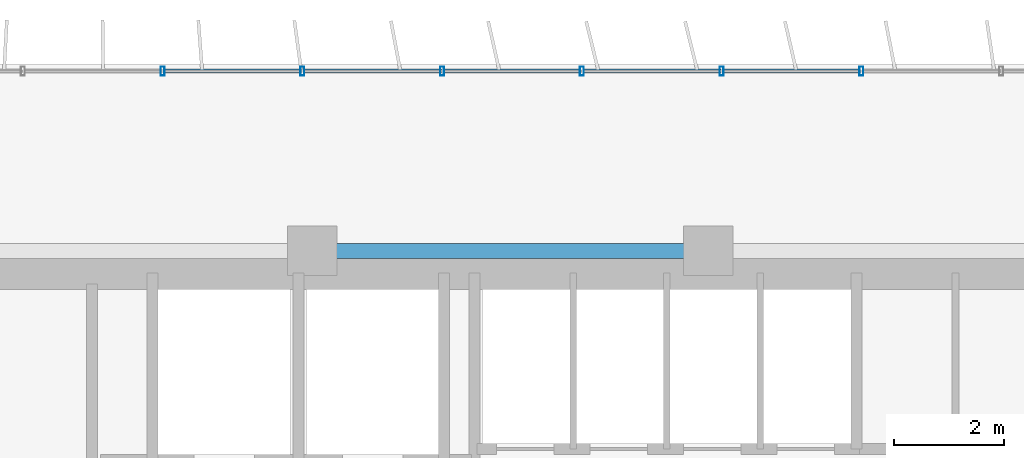
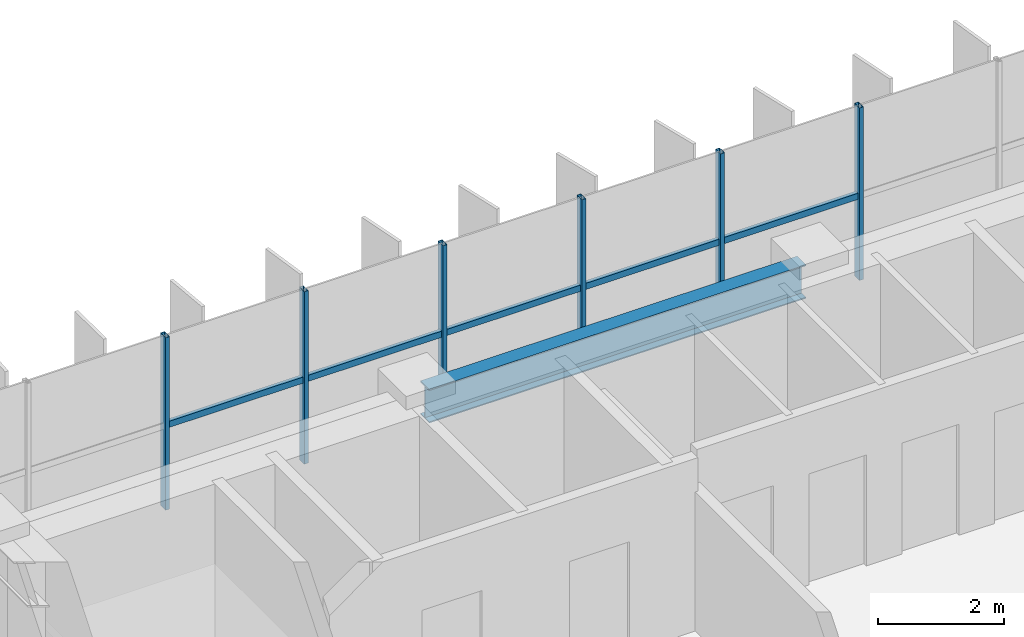
# One storey, part 10 of 25: 11 members, 1 beam, 1 element without a shape of its own.
"""IFC4 building model written with IfcOpenShell, lengths in metres."""

from ifc_helpers import new_model, si_unit, direction, frame, origin, origin_2d, place, context, subcontext, project, spatial, hollow_rectangle, i_section, extrude, source, transform, mapped, material, material_profile, profile_set, type_object, element, aggregate, save


model = new_model("IFC4")

# Units and contexts
model_context = context("Model", 3, precision=1e-05, world=origin(), true_north=direction((0.0, 1.0)))
body_context = subcontext(model_context, "Body", "Model", "MODEL_VIEW")
ifc_project = project(units=[si_unit("LENGTHUNIT", "METRE"), si_unit("AREAUNIT", "SQUARE_METRE"), si_unit("VOLUMEUNIT", "CUBIC_METRE"), si_unit("PLANEANGLEUNIT", "RADIAN"), si_unit("MASSUNIT", "GRAM", prefix="KILO")], contexts=[model_context])

# Site, building, storey
site_placement = place(None, origin())
site = spatial("IfcSite", under=ifc_project, at=site_placement, CompositionType="ELEMENT")
building_placement = place(site_placement, origin())
building = spatial("IfcBuilding", under=site, at=building_placement, Name="Trelvane Seafront Commons", CompositionType="ELEMENT")
storey_placement = place(building_placement, frame((0.0, 0.0, 66.699951171875)))
storey = spatial("IfcBuildingStorey", under=building, at=storey_placement, Name="L17", CompositionType="ELEMENT", Elevation=66.699951171875)

# Beam
ifc_material_1 = material(Name="Steel SM355 (S355)", Category="steel")
ifc_material_profile_1 = material_profile(ifc_material_1, i_section(OverallWidth=0.280029296875, OverallDepth=0.64990234375, WebThickness=0.012939453125, FlangeThickness=0.02197265625, at=origin_2d()), Name="H-650x280x13x22")
ifc_profile_set_1 = profile_set([ifc_material_profile_1], Name="Steel SM355 (S355)")
beam_type = type_object("IfcBeamType", Name="STR-BM-H650", PredefinedType="BEAM", material=ifc_profile_set_1)
shared_shape_1 = source(origin(), body_context, "Body", "SweptSolid", [
    extrude(i_section(OverallWidth=0.280029296875, OverallDepth=0.64990234375, WebThickness=0.012939453125, FlangeThickness=0.02197265625, at=origin_2d()), origin(), (0.0, 0.0, 1.0), 6.89990234375),
])
beam_placement = place(storey_placement, frame((23.550048828125, 45.10009765625, 3.01513671875), z_axis=(1.0, 0.0, 0.0), x_axis=(0.0, 1.0, 0.0)))
element("IfcBeam", 1, at=beam_placement, inside=storey, type_object=beam_type, Name="L17 Primary Girder G-31", PredefinedType="BEAM", context=body_context, shape_type="MappedRepresentation", body=[
    mapped(shared_shape_1, transform((0.0, 0.0, 0.0), x_axis=(1.0, 0.0, 0.0), y_axis=(0.0, 1.0, 0.0), z_axis=(0.0, 0.0, 1.0), scale=1.0)),
])

# Curtain wall, members
ifc_material_2 = material(Name="Anodised pale-silver aluminium", Category="aluminium")
curtain_wall_type = type_object("IfcCurtainWallType", Name="ARCH-CW2-LOWTOWER", PredefinedType="NOTDEFINED", material=ifc_material_2)
curtain_wall_placement = place(storey_placement, origin())
curtain_wall = element("IfcCurtainWall", 2, at=curtain_wall_placement, inside=storey, type_object=curtain_wall_type, Name="CW-L17-0041", PredefinedType="NOTDEFINED")
ifc_material_profile_2 = material_profile(ifc_material_2, hollow_rectangle(XDim=0.074951171875, YDim=0.159912109375, WallThickness=0.00390625, at=origin_2d()), Name="MULL-75x160x4")
ifc_profile_set_2 = profile_set([ifc_material_profile_2], Name="Anodised pale-silver aluminium")
member_type_1 = type_object("IfcMemberType", Name="ARCH-CW-MULL-160", PredefinedType="MULLION", material=ifc_profile_set_2)
shared_shape_2 = source(origin(), body_context, "Body", "SweptSolid", [
    extrude(hollow_rectangle(XDim=0.074951171875, YDim=0.159912109375, WallThickness=0.00390625, at=origin_2d()), origin(), (0.0, 0.0, 1.0), 3.340087890625),
])
member_1_placement = place(storey_placement, frame((20.682373046875, 48.3701171875, 0.0), z_axis=(0.0, 0.0, 1.0), x_axis=(1.0, 0.0, 0.0)))
member_1 = element("IfcMember", 3, at=member_1_placement, type_object=member_type_1, Name="CW-L17-0041-M02", PredefinedType="MULLION", context=body_context, shape_type="MappedRepresentation", body=[
    mapped(shared_shape_2, transform((0.0, 0.0, 0.0), x_axis=(1.0, 0.0, 0.0), y_axis=(0.0, 1.0, 0.0), z_axis=(0.0, 0.0, 1.0), scale=1.0)),
])
member_2_placement = place(storey_placement, frame((23.223388671875, 48.3701171875, 0.0), z_axis=(0.0, 0.0, 1.0), x_axis=(1.0, 0.0, 0.0)))
member_2 = element("IfcMember", 4, at=member_2_placement, type_object=member_type_1, Name="CW-L17-0041-M03", PredefinedType="MULLION", context=body_context, shape_type="MappedRepresentation", body=[
    mapped(shared_shape_2, transform((0.0, 0.0, 0.0), x_axis=(1.0, 0.0, 0.0), y_axis=(0.0, 1.0, 0.0), z_axis=(0.0, 0.0, 1.0), scale=1.0)),
])
member_3_placement = place(storey_placement, frame((25.7646484375, 48.3701171875, 0.0), z_axis=(0.0, 0.0, 1.0), x_axis=(1.0, 0.0, 0.0)))
member_3 = element("IfcMember", 5, at=member_3_placement, type_object=member_type_1, Name="CW-L17-0041-M04", PredefinedType="MULLION", context=body_context, shape_type="MappedRepresentation", body=[
    mapped(shared_shape_2, transform((0.0, 0.0, 0.0), x_axis=(1.0, 0.0, 0.0), y_axis=(0.0, 1.0, 0.0), z_axis=(0.0, 0.0, 1.0), scale=1.0)),
])
member_4_placement = place(storey_placement, frame((28.305908203125, 48.3701171875, 0.0), z_axis=(0.0, 0.0, 1.0), x_axis=(1.0, 0.0, 0.0)))
member_4 = element("IfcMember", 6, at=member_4_placement, type_object=member_type_1, Name="CW-L17-0041-M05", PredefinedType="MULLION", context=body_context, shape_type="MappedRepresentation", body=[
    mapped(shared_shape_2, transform((0.0, 0.0, 0.0), x_axis=(1.0, 0.0, 0.0), y_axis=(0.0, 1.0, 0.0), z_axis=(0.0, 0.0, 1.0), scale=1.0)),
])
member_5_placement = place(storey_placement, frame((30.84716796875, 48.3701171875, 0.0), z_axis=(0.0, 0.0, 1.0), x_axis=(1.0, 0.0, 0.0)))
member_5 = element("IfcMember", 7, at=member_5_placement, type_object=member_type_1, Name="CW-L17-0041-M06", PredefinedType="MULLION", context=body_context, shape_type="MappedRepresentation", body=[
    mapped(shared_shape_2, transform((0.0, 0.0, 0.0), x_axis=(1.0, 0.0, 0.0), y_axis=(0.0, 1.0, 0.0), z_axis=(0.0, 0.0, 1.0), scale=1.0)),
])
member_6_placement = place(storey_placement, frame((33.38818359375, 48.3701171875, 0.0), z_axis=(0.0, 0.0, 1.0), x_axis=(1.0, 0.0, 0.0)))
member_6 = element("IfcMember", 8, at=member_6_placement, type_object=member_type_1, Name="CW-L17-0041-M07", PredefinedType="MULLION", context=body_context, shape_type="MappedRepresentation", body=[
    mapped(shared_shape_2, transform((0.0, 0.0, 0.0), x_axis=(1.0, 0.0, 0.0), y_axis=(0.0, 1.0, 0.0), z_axis=(0.0, 0.0, 1.0), scale=1.0)),
])
ifc_material_profile_3 = material_profile(ifc_material_2, hollow_rectangle(XDim=0.070068359375, YDim=0.1201171875, WallThickness=0.00390625, at=origin_2d()), Name="TRAN-70x120x4")
ifc_profile_set_3 = profile_set([ifc_material_profile_3], Name="Anodised pale-silver aluminium")
member_type_2 = type_object("IfcMemberType", Name="ARCH-CW-TRAN-120", PredefinedType="USERDEFINED", material=ifc_profile_set_3)
shared_shape_3 = source(origin(), body_context, "Body", "SweptSolid", [
    extrude(hollow_rectangle(XDim=0.070068359375, YDim=0.1201171875, WallThickness=0.00390625, at=origin_2d()), origin(), (0.0, 0.0, 1.0), 2.51708984375),
])
member_7_placement = place(storey_placement, frame((20.6943359375, 48.3701171875, 1.60302734375), z_axis=(1.0, 0.0, 0.0), x_axis=(0.0, 1.0, 0.0)))
member_7 = element("IfcMember", 9, at=member_7_placement, type_object=member_type_2, Name="CW-L17-0041-T02", ObjectType="TRANSOM", PredefinedType="USERDEFINED", context=body_context, shape_type="MappedRepresentation", body=[
    mapped(shared_shape_3, transform((0.0, 0.0, 0.0), x_axis=(1.0, 0.0, 0.0), y_axis=(0.0, 1.0, 0.0), z_axis=(0.0, 0.0, 1.0), scale=1.0)),
])
member_8_placement = place(storey_placement, frame((23.235595703125, 48.3701171875, 1.60302734375), z_axis=(1.0, 0.0, 0.0), x_axis=(0.0, 1.0, 0.0)))
member_8 = element("IfcMember", 10, at=member_8_placement, type_object=member_type_2, Name="CW-L17-0041-T03", ObjectType="TRANSOM", PredefinedType="USERDEFINED", context=body_context, shape_type="MappedRepresentation", body=[
    mapped(shared_shape_3, transform((0.0, 0.0, 0.0), x_axis=(1.0, 0.0, 0.0), y_axis=(0.0, 1.0, 0.0), z_axis=(0.0, 0.0, 1.0), scale=1.0)),
])
member_9_placement = place(storey_placement, frame((30.859130859375, 48.3701171875, 1.60302734375), z_axis=(1.0, 0.0, 0.0), x_axis=(0.0, 1.0, 0.0)))
member_9 = element("IfcMember", 11, at=member_9_placement, type_object=member_type_2, Name="CW-L17-0041-T06", ObjectType="TRANSOM", PredefinedType="USERDEFINED", context=body_context, shape_type="MappedRepresentation", body=[
    mapped(shared_shape_3, transform((0.0, 0.0, 0.0), x_axis=(1.0, 0.0, 0.0), y_axis=(0.0, 1.0, 0.0), z_axis=(0.0, 0.0, 1.0), scale=1.0)),
])
shared_shape_4 = source(origin(), body_context, "Body", "SweptSolid", [
    extrude(hollow_rectangle(XDim=0.070068359375, YDim=0.1201171875, WallThickness=0.00390625, at=origin_2d()), origin(), (0.0, 0.0, 1.0), 2.517333984375),
])
member_10_placement = place(storey_placement, frame((25.776611328125, 48.3701171875, 1.60302734375), z_axis=(1.0, 0.0, 0.0), x_axis=(0.0, 1.0, 0.0)))
member_10 = element("IfcMember", 12, at=member_10_placement, type_object=member_type_2, Name="CW-L17-0041-T04", ObjectType="TRANSOM", PredefinedType="USERDEFINED", context=body_context, shape_type="MappedRepresentation", body=[
    mapped(shared_shape_4, transform((0.0, 0.0, 0.0), x_axis=(1.0, 0.0, 0.0), y_axis=(0.0, 1.0, 0.0), z_axis=(0.0, 0.0, 1.0), scale=1.0)),
])
member_11_placement = place(storey_placement, frame((28.31787109375, 48.3701171875, 1.60302734375), z_axis=(1.0, 0.0, 0.0), x_axis=(0.0, 1.0, 0.0)))
member_11 = element("IfcMember", 13, at=member_11_placement, type_object=member_type_2, Name="CW-L17-0041-T05", ObjectType="TRANSOM", PredefinedType="USERDEFINED", context=body_context, shape_type="MappedRepresentation", body=[
    mapped(shared_shape_4, transform((0.0, 0.0, 0.0), x_axis=(1.0, 0.0, 0.0), y_axis=(0.0, 1.0, 0.0), z_axis=(0.0, 0.0, 1.0), scale=1.0)),
])
aggregate(curtain_wall, [member_1, member_2, member_3, member_4, member_5, member_6, member_7, member_8, member_10, member_11, member_9])

save(model, "model.ifc")
